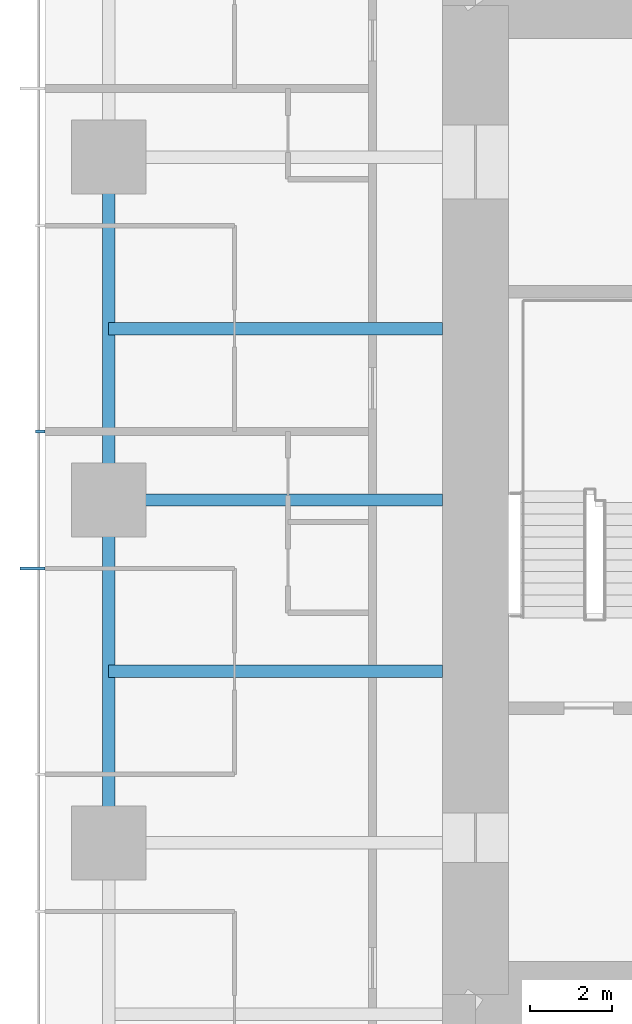
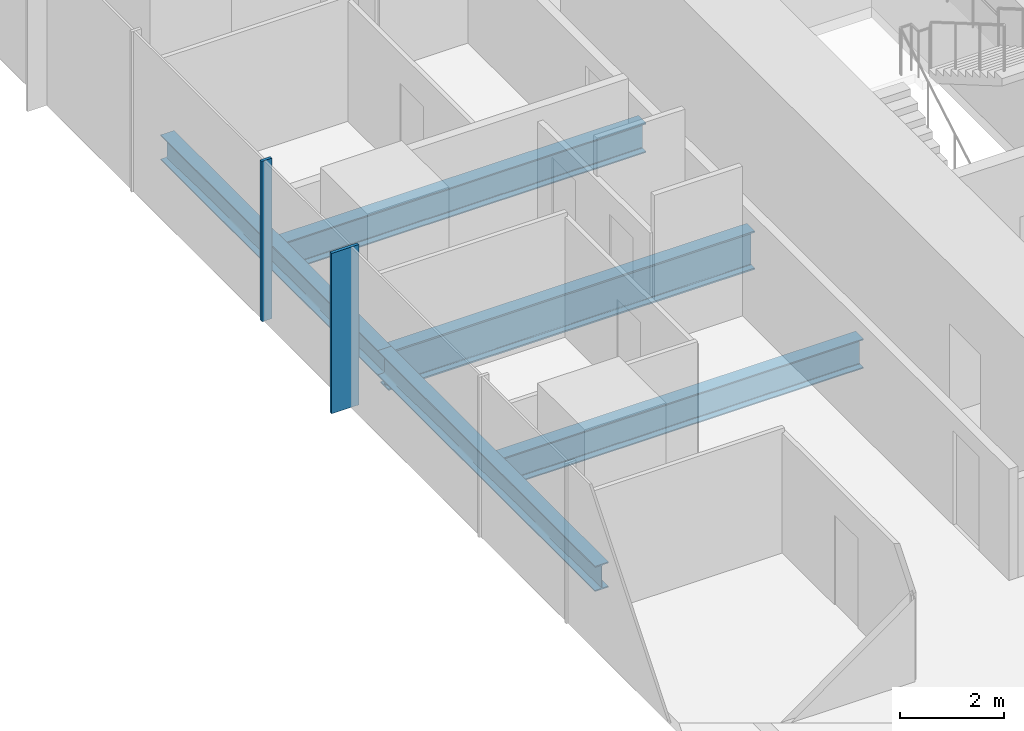
# One storey, part 3 of 12: 5 beams, 2 members, 1 element without a shape of its own.
"""IFC4 building model written with IfcOpenShell, lengths in metres."""

from ifc_helpers import new_model, si_unit, direction, frame, origin, origin_2d, place, context, subcontext, project, spatial, rectangle, i_section, extrude, material, material_profile, profile_set, type_object, element, aggregate, save


model = new_model("IFC4")

# Units and contexts
model_context = context("Model", 3, precision=1e-05, world=origin(), true_north=direction((0.0, 1.0)))
body_context = subcontext(model_context, "Body", "Model", "MODEL_VIEW")
ifc_project = project(units=[si_unit("LENGTHUNIT", "METRE"), si_unit("AREAUNIT", "SQUARE_METRE"), si_unit("VOLUMEUNIT", "CUBIC_METRE"), si_unit("PLANEANGLEUNIT", "RADIAN"), si_unit("MASSUNIT", "GRAM", prefix="KILO")], contexts=[model_context])

# Site, building, storey
site_placement = place(None, origin())
site = spatial("IfcSite", under=ifc_project, at=site_placement, CompositionType="ELEMENT")
building_placement = place(site_placement, origin())
building = spatial("IfcBuilding", under=site, at=building_placement, Name="Khuree Lantern Residences", CompositionType="ELEMENT")
storey_placement = place(building_placement, frame((0.0, 0.0, 237.0)))
storey = spatial("IfcBuildingStorey", under=building, at=storey_placement, Name="L59", CompositionType="ELEMENT", Elevation=237.0)

# Beams
ifc_material_1 = material(Name="Steel S355", Category="steel")
ifc_material_profile_1 = material_profile(ifc_material_1, i_section(OverallWidth=0.300048828125, OverallDepth=0.68994140625, WebThickness=0.014404296875, FlangeThickness=0.027099609375, FilletRadius=0.027099609375, at=origin_2d()), Name="HE 700 A")
ifc_profile_set_1 = profile_set([ifc_material_profile_1], Name="Steel S355")
beam_type_1 = type_object("IfcBeamType", Name="B-33 SECONDARY BEAM HE 700 A", PredefinedType="BEAM", material=ifc_profile_set_1)
for number, where, z_axis, x_axis, name in (
    (1, (-24.39990234375, -4.159912109375, -0.594970703125), (1.0, 0.0, 0.0), (0.0, 1.0, 0.0), "Secondary beam W3"),
    (2, (-24.39990234375, 4.159912109375, -0.594970703125), (1.0, 0.0, 0.0), (0.0, 1.0, 0.0), "Secondary beam W4"),
):
    element("IfcBeam", number, at=place(storey_placement, frame(where, z_axis=z_axis, x_axis=x_axis)), inside=storey, type_object=beam_type_1, Name=name, PredefinedType="BEAM", context=body_context, shape_type="SweptSolid", body=[
        extrude(i_section(OverallWidth=0.300048828125, OverallDepth=0.68994140625, WebThickness=0.014404296875, FlangeThickness=0.027099609375, FilletRadius=0.027099609375, at=origin_2d()), origin(), (0.0, 0.0, 1.0), 8.099853515625),
    ])
ifc_material_profile_2 = material_profile(ifc_material_1, i_section(OverallWidth=0.300048828125, OverallDepth=0.590087890625, WebThickness=0.012939453125, FlangeThickness=0.02490234375, FilletRadius=0.027099609375, at=origin_2d()), Name="HE 600 A")
ifc_profile_set_2 = profile_set([ifc_material_profile_2], Name="Steel S355")
beam_type_2 = type_object("IfcBeamType", Name="E-33 SPANDREL BEAM HE 600 A", PredefinedType="SPANDREL", material=ifc_profile_set_2)
for number, where, z_axis, x_axis, name in (
    (3, (-24.39990234375, -8.320068359375, -0.544921875), (0.0, 1.0, 0.0), (-1.0, 0.0, 0.0), "Spandrel beam W3"),
    (4, (-24.39990234375, 0.0, -0.544921875), (0.0, 1.0, 0.0), (-1.0, 0.0, 0.0), "Spandrel beam W4"),
):
    element("IfcBeam", number, at=place(storey_placement, frame(where, z_axis=z_axis, x_axis=x_axis)), inside=storey, type_object=beam_type_2, Name=name, PredefinedType="SPANDREL", context=body_context, shape_type="SweptSolid", body=[
        extrude(i_section(OverallWidth=0.300048828125, OverallDepth=0.590087890625, WebThickness=0.012939453125, FlangeThickness=0.02490234375, FilletRadius=0.027099609375, at=origin_2d()), origin(), (0.0, 0.0, 1.0), 8.320068359375),
    ])

# Curtain wall, member
ifc_material_2 = material(Name="Bronze anodised aluminium", Category="aluminium")
curtain_wall_type = type_object("IfcCurtainWallType", Name="CW-T1 TOWER FACE CURTAIN WALL", PredefinedType="USERDEFINED", material=ifc_material_2)
curtain_wall_placement = place(storey_placement, origin())
curtain_wall = element("IfcCurtainWall", 5, at=curtain_wall_placement, inside=storey, type_object=curtain_wall_type, Name="L59 WEST FACE CURTAIN WALL", ObjectType="Stick-built curtain wall", PredefinedType="USERDEFINED")
ifc_material_profile_3 = material_profile(ifc_material_2, rectangle(XDim=0.06494140625, YDim=0.60009765625, at=origin_2d()), Name="F1 65X600")
ifc_profile_set_3 = profile_set([ifc_material_profile_3], Name="Bronze anodised aluminium")
member_type_1 = type_object("IfcMemberType", Name="F1 BRONZE FIN MULLION TOWER 65X600", PredefinedType="MULLION", material=ifc_profile_set_3)
member_1_placement = place(storey_placement, frame((-26.25, -1.6640625, 0.0), z_axis=(0.0, 0.0, 1.0), x_axis=(0.0, -1.0, 0.0)))
member_1 = element("IfcMember", 6, at=member_1_placement, type_object=member_type_1, Name="L59 WEST FACE FIN MULLION 38", PredefinedType="MULLION", context=body_context, shape_type="SweptSolid", body=[
    extrude(rectangle(XDim=0.06494140625, YDim=0.60009765625, at=origin_2d()), origin(), (0.0, 0.0, 1.0), 3.75),
])

# Beam
ifc_material_profile_4 = material_profile(ifc_material_1, i_section(OverallWidth=0.300048828125, OverallDepth=0.89990234375, WebThickness=0.0185546875, FlangeThickness=0.034912109375, FilletRadius=0.030029296875, at=origin_2d()), Name="HE 900 B")
ifc_profile_set_4 = profile_set([ifc_material_profile_4], Name="Steel S355")
beam_type_3 = type_object("IfcBeamType", Name="G-33 GIRDER HE 900 B", PredefinedType="BEAM", material=ifc_profile_set_4)
beam_placement = place(storey_placement, frame((-24.39990234375, 0.0, -0.699951171875), z_axis=(1.0, 0.0, 0.0), x_axis=(0.0, 1.0, 0.0)))
element("IfcBeam", 7, at=beam_placement, inside=storey, type_object=beam_type_3, Name="Girder W3", PredefinedType="BEAM", context=body_context, shape_type="SweptSolid", body=[
    extrude(i_section(OverallWidth=0.300048828125, OverallDepth=0.89990234375, WebThickness=0.0185546875, FlangeThickness=0.034912109375, FilletRadius=0.030029296875, at=origin_2d()), origin(), (0.0, 0.0, 1.0), 8.099853515625),
])

# Member
ifc_material_profile_5 = material_profile(ifc_material_2, rectangle(XDim=0.06494140625, YDim=0.219970703125, at=origin_2d()), Name="M1 65X220")
ifc_profile_set_5 = profile_set([ifc_material_profile_5], Name="Bronze anodised aluminium")
member_type_2 = type_object("IfcMemberType", Name="M1 BRONZE MULLION TOWER 65X220", PredefinedType="MULLION", material=ifc_profile_set_5)
member_2_placement = place(storey_placement, frame((-26.06005859375, 1.6640625, 0.0), z_axis=(0.0, 0.0, 1.0), x_axis=(0.0, -1.0, 0.0)))
member_2 = element("IfcMember", 8, at=member_2_placement, type_object=member_type_2, Name="L59 WEST FACE MULLION 37", PredefinedType="MULLION", context=body_context, shape_type="SweptSolid", body=[
    extrude(rectangle(XDim=0.06494140625, YDim=0.219970703125, at=origin_2d()), origin(), (0.0, 0.0, 1.0), 3.75),
])

aggregate(curtain_wall, [member_2, member_1])

save(model, "model.ifc")
